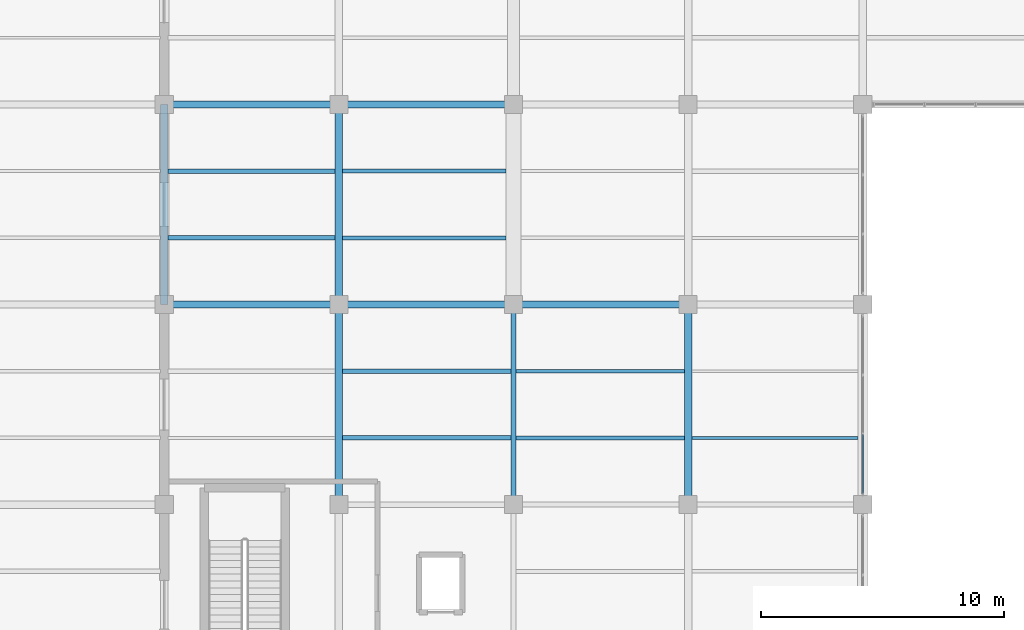
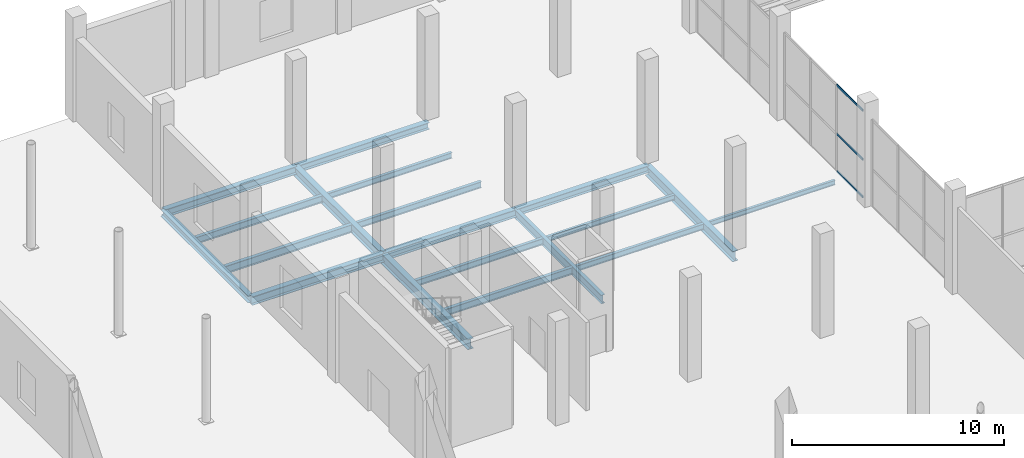
# One storey, part 72 of 144: 19 beams, 3 members, 1 element without a shape of its own.
"""IFC4 building model written with IfcOpenShell, lengths in metres."""

from ifc_helpers import new_model, si_unit, direction, frame, origin, origin_2d, place, context, subcontext, project, spatial, hollow_rectangle, i_section, extrude, material, layer, layer_set, material_profile, profile_set, type_object, element, aggregate, save


model = new_model("IFC4")

# Units and contexts
model_context = context("Model", 3, precision=1e-05, world=origin(), true_north=direction((0.0, 1.0)))
body_context = subcontext(model_context, "Body", "Model", "MODEL_VIEW")
ifc_project = project(units=[si_unit("LENGTHUNIT", "METRE"), si_unit("AREAUNIT", "SQUARE_METRE"), si_unit("VOLUMEUNIT", "CUBIC_METRE"), si_unit("PLANEANGLEUNIT", "RADIAN"), si_unit("MASSUNIT", "GRAM", prefix="KILO")], contexts=[model_context])

# Site, building, storey
site_placement = place(None, origin())
site = spatial("IfcSite", under=ifc_project, at=site_placement, CompositionType="ELEMENT")
building_placement = place(site_placement, origin())
building = spatial("IfcBuilding", under=site, at=building_placement, Name="Sundgate Opera House", CompositionType="ELEMENT")
storey_placement = place(building_placement, origin())
storey = spatial("IfcBuildingStorey", under=building, at=storey_placement, Name="L00", CompositionType="ELEMENT", Elevation=0.0)

# Beams
ifc_material_1 = material(Name="Steel S355J2", Category="steel")
ifc_material_profile_1 = material_profile(ifc_material_1, i_section(OverallWidth=0.300048828125, OverallDepth=0.389892578125, WebThickness=0.010986328125, FlangeThickness=0.01904296875, at=origin_2d()), Name="HEA 400")
ifc_profile_set_1 = profile_set([ifc_material_profile_1], Name="Steel S355J2")
beam_type_1 = type_object("IfcBeamType", Name="BM-GR-HEA400", PredefinedType="BEAM", material=ifc_profile_set_1)
beam_1_placement = place(storey_placement, frame((95.39990234375, 103.5, -0.514892578125), z_axis=(0.0, 1.0, 0.0), x_axis=(-1.0, 0.0, 0.0)))
element("IfcBeam", 1, at=beam_1_placement, inside=storey, type_object=beam_type_1, Name="L00 Primary N-S Girder B0202", PredefinedType="BEAM", context=body_context, shape_type="SweptSolid", body=[
    extrude(i_section(OverallWidth=0.300048828125, OverallDepth=0.389892578125, WebThickness=0.010986328125, FlangeThickness=0.01904296875, at=origin_2d()), origin(), (0.0, 0.0, 1.0), 8.25),
])
beam_2_placement = place(storey_placement, frame((109.800048828125, 103.5, -0.514892578125), z_axis=(1.0, 0.0, 0.0), x_axis=(0.0, 1.0, 0.0)))
element("IfcBeam", 2, at=beam_2_placement, inside=storey, type_object=beam_type_1, Name="L00 Primary E-W Girder B0553", PredefinedType="BEAM", context=body_context, shape_type="SweptSolid", body=[
    extrude(i_section(OverallWidth=0.300048828125, OverallDepth=0.389892578125, WebThickness=0.010986328125, FlangeThickness=0.01904296875, at=origin_2d()), origin(), (0.0, 0.0, 1.0), 7.199951171875),
])
ifc_material_2 = material(Name="Steel S355J2", Category="steel")
ifc_material_profile_2 = material_profile(ifc_material_2, i_section(OverallWidth=0.300048828125, OverallDepth=0.43994140625, WebThickness=0.011474609375, FlangeThickness=0.02099609375, at=origin_2d()), Name="HEA 450")
ifc_profile_set_2 = profile_set([ifc_material_profile_2], Name="Steel S355J2")
beam_type_2 = type_object("IfcBeamType", Name="BM-GR-HEA450", PredefinedType="BEAM", material=ifc_profile_set_2)
beam_3_placement = place(storey_placement, frame((102.60009765625, 103.5, -0.5400390625), z_axis=(1.0, 0.0, 0.0), x_axis=(0.0, 1.0, 0.0)))
element("IfcBeam", 3, at=beam_3_placement, inside=storey, type_object=beam_type_2, Name="L00 Primary E-W Girder B0552", PredefinedType="BEAM", context=body_context, shape_type="SweptSolid", body=[
    extrude(i_section(OverallWidth=0.300048828125, OverallDepth=0.43994140625, WebThickness=0.011474609375, FlangeThickness=0.02099609375, at=origin_2d()), origin(), (0.0, 0.0, 1.0), 7.199951171875),
])
ifc_material_3 = material(Name="Steel S355J2", Category="steel")
ifc_material_profile_3 = material_profile(ifc_material_3, i_section(OverallWidth=0.300048828125, OverallDepth=0.489990234375, WebThickness=0.011962890625, FlangeThickness=0.02294921875, at=origin_2d()), Name="HEA 500")
ifc_profile_set_3 = profile_set([ifc_material_profile_3], Name="Steel S355J2")
beam_type_3 = type_object("IfcBeamType", Name="BM-GR-HEA500", PredefinedType="BEAM", material=ifc_profile_set_3)
beam_4_placement = place(storey_placement, frame((95.39990234375, 103.5, -0.56494140625), z_axis=(1.0, 0.0, 0.0), x_axis=(0.0, 1.0, 0.0)))
element("IfcBeam", 4, at=beam_4_placement, inside=storey, type_object=beam_type_3, Name="L00 Primary E-W Girder B0551", PredefinedType="BEAM", context=body_context, shape_type="SweptSolid", body=[
    extrude(i_section(OverallWidth=0.300048828125, OverallDepth=0.489990234375, WebThickness=0.011962890625, FlangeThickness=0.02294921875, at=origin_2d()), origin(), (0.0, 0.0, 1.0), 7.2001953125),
])
ifc_material_4 = material(Name="Steel S355J2", Category="steel")
ifc_material_profile_4 = material_profile(ifc_material_4, i_section(OverallWidth=0.300048828125, OverallDepth=0.590087890625, WebThickness=0.012939453125, FlangeThickness=0.02490234375, at=origin_2d()), Name="HEA 600")
ifc_profile_set_4 = profile_set([ifc_material_profile_4], Name="Steel S355J2")
beam_type_4 = type_object("IfcBeamType", Name="BM-GR-HEA600", PredefinedType="BEAM", material=ifc_profile_set_4)
beam_5_placement = place(storey_placement, frame((117.0, 95.25, -0.614990234375), z_axis=(0.0, 1.0, 0.0), x_axis=(-1.0, 0.0, 0.0)))
element("IfcBeam", 5, at=beam_5_placement, inside=storey, type_object=beam_type_4, Name="L00 Primary N-S Girder B0243", PredefinedType="BEAM", context=body_context, shape_type="SweptSolid", body=[
    extrude(i_section(OverallWidth=0.300048828125, OverallDepth=0.590087890625, WebThickness=0.012939453125, FlangeThickness=0.02490234375, at=origin_2d()), origin(), (0.0, 0.0, 1.0), 8.25),
])
ifc_material_5 = material(Name="Steel S355J2", Category="steel")
ifc_material_profile_5 = material_profile(ifc_material_5, i_section(OverallWidth=0.300048828125, OverallDepth=0.39990234375, WebThickness=0.013427734375, FlangeThickness=0.02392578125, at=origin_2d()), Name="HEB 400")
ifc_profile_set_5 = profile_set([ifc_material_profile_5], Name="Steel S355J2")
beam_type_5 = type_object("IfcBeamType", Name="BM-GR-HEB400", PredefinedType="BEAM", material=ifc_profile_set_5)
beam_6_placement = place(storey_placement, frame((102.60009765625, 111.75, -0.52001953125), z_axis=(1.0, 0.0, 0.0), x_axis=(0.0, 1.0, 0.0)))
element("IfcBeam", 6, at=beam_6_placement, inside=storey, type_object=beam_type_5, Name="L00 Primary E-W Girder B0570", PredefinedType="BEAM", context=body_context, shape_type="SweptSolid", body=[
    extrude(i_section(OverallWidth=0.300048828125, OverallDepth=0.39990234375, WebThickness=0.013427734375, FlangeThickness=0.02392578125, at=origin_2d()), origin(), (0.0, 0.0, 1.0), 7.199951171875),
])
ifc_material_6 = material(Name="Steel S355J2", Category="steel")
ifc_material_profile_6 = material_profile(ifc_material_6, i_section(OverallWidth=0.300048828125, OverallDepth=0.449951171875, WebThickness=0.013916015625, FlangeThickness=0.02587890625, at=origin_2d()), Name="HEB 450")
ifc_profile_set_6 = profile_set([ifc_material_profile_6], Name="Steel S355J2")
beam_type_6 = type_object("IfcBeamType", Name="BM-GR-HEB450", PredefinedType="BEAM", material=ifc_profile_set_6)
beam_7_placement = place(storey_placement, frame((95.39990234375, 111.75, -0.544921875), z_axis=(1.0, 0.0, 0.0), x_axis=(0.0, 1.0, 0.0)))
element("IfcBeam", 7, at=beam_7_placement, inside=storey, type_object=beam_type_6, Name="L00 Primary E-W Girder B0569", PredefinedType="BEAM", context=body_context, shape_type="SweptSolid", body=[
    extrude(i_section(OverallWidth=0.300048828125, OverallDepth=0.449951171875, WebThickness=0.013916015625, FlangeThickness=0.02587890625, at=origin_2d()), origin(), (0.0, 0.0, 1.0), 7.2001953125),
])
ifc_material_7 = material(Name="Steel S355J2", Category="steel")
ifc_material_profile_7 = material_profile(ifc_material_7, i_section(OverallWidth=0.300048828125, OverallDepth=0.550048828125, WebThickness=0.014892578125, FlangeThickness=0.029052734375, at=origin_2d()), Name="HEB 550")
ifc_profile_set_7 = profile_set([ifc_material_profile_7], Name="Steel S355J2")
beam_type_7 = type_object("IfcBeamType", Name="BM-GR-HEB550", PredefinedType="BEAM", material=ifc_profile_set_7)
beam_8_placement = place(storey_placement, frame((102.60009765625, 103.5, -0.594970703125), z_axis=(0.0, 1.0, 0.0), x_axis=(-1.0, 0.0, 0.0)))
element("IfcBeam", 8, at=beam_8_placement, inside=storey, type_object=beam_type_7, Name="L00 Primary N-S Girder B0216", PredefinedType="BEAM", context=body_context, shape_type="SweptSolid", body=[
    extrude(i_section(OverallWidth=0.300048828125, OverallDepth=0.550048828125, WebThickness=0.014892578125, FlangeThickness=0.029052734375, at=origin_2d()), origin(), (0.0, 0.0, 1.0), 8.25),
])
ifc_material_8 = material(Name="Steel S355J2", Category="steel")
ifc_material_profile_8 = material_profile(ifc_material_8, i_section(OverallWidth=0.300048828125, OverallDepth=0.60009765625, WebThickness=0.015380859375, FlangeThickness=0.030029296875, at=origin_2d()), Name="HEB 600")
ifc_profile_set_8 = profile_set([ifc_material_profile_8], Name="Steel S355J2")
beam_type_8 = type_object("IfcBeamType", Name="BM-GR-HEB600", PredefinedType="BEAM", material=ifc_profile_set_8)
beam_9_placement = place(storey_placement, frame((102.60009765625, 95.25, -0.6201171875), z_axis=(0.0, 1.0, 0.0), x_axis=(-1.0, 0.0, 0.0)))
element("IfcBeam", 9, at=beam_9_placement, inside=storey, type_object=beam_type_8, Name="L00 Primary N-S Girder B0215", PredefinedType="BEAM", context=body_context, shape_type="SweptSolid", body=[
    extrude(i_section(OverallWidth=0.300048828125, OverallDepth=0.60009765625, WebThickness=0.015380859375, FlangeThickness=0.030029296875, at=origin_2d()), origin(), (0.0, 0.0, 1.0), 8.25),
])
ifc_material_9 = material(Name="Steel S355J2", Category="steel")
ifc_material_profile_9 = material_profile(ifc_material_9, i_section(OverallWidth=0.199951171875, OverallDepth=0.5, WebThickness=0.01025390625, FlangeThickness=0.01611328125, at=origin_2d()), Name="IPE 500")
ifc_profile_set_9 = profile_set([ifc_material_profile_9], Name="Steel S355J2")
beam_type_9 = type_object("IfcBeamType", Name="BM-GR-IPE500", PredefinedType="BEAM", material=ifc_profile_set_9)
beam_10_placement = place(storey_placement, frame((109.800048828125, 95.25, -0.570068359375), z_axis=(0.0, 1.0, 0.0), x_axis=(-1.0, 0.0, 0.0)))
element("IfcBeam", 10, at=beam_10_placement, inside=storey, type_object=beam_type_9, Name="L00 Primary N-S Girder B0229", PredefinedType="BEAM", context=body_context, shape_type="SweptSolid", body=[
    extrude(i_section(OverallWidth=0.199951171875, OverallDepth=0.5, WebThickness=0.01025390625, FlangeThickness=0.01611328125, at=origin_2d()), origin(), (0.0, 0.0, 1.0), 8.25),
])
ifc_material_10 = material(Name="Steel S355J2", Category="steel")
ifc_material_profile_10 = material_profile(ifc_material_10, i_section(OverallWidth=0.135009765625, OverallDepth=0.27001953125, WebThickness=0.006591796875, FlangeThickness=0.01025390625, at=origin_2d()), Name="IPE 270")
ifc_profile_set_10 = profile_set([ifc_material_profile_10], Name="Steel S355J2")
beam_type_10 = type_object("IfcBeamType", Name="BM-JS-IPE270", PredefinedType="JOIST", material=ifc_profile_set_10)
beam_11_placement = place(storey_placement, frame((117.14990234375, 98.0, -0.455078125), z_axis=(1.0, 0.0, 0.0), x_axis=(0.0, 1.0, 0.0)))
element("IfcBeam", 11, at=beam_11_placement, inside=storey, type_object=beam_type_10, Name="L00 Secondary Floor Joist B0978", PredefinedType="JOIST", context=body_context, shape_type="SweptSolid", body=[
    extrude(i_section(OverallWidth=0.135009765625, OverallDepth=0.27001953125, WebThickness=0.006591796875, FlangeThickness=0.01025390625, at=origin_2d()), origin(), (0.0, 0.0, 1.0), 6.85009765625),
])
ifc_material_11 = material(Name="Steel S355J2", Category="steel")
ifc_material_profile_11 = material_profile(ifc_material_11, i_section(OverallWidth=0.14990234375, OverallDepth=0.300048828125, WebThickness=0.007080078125, FlangeThickness=0.0107421875, at=origin_2d()), Name="IPE 300")
ifc_profile_set_11 = profile_set([ifc_material_profile_11], Name="Steel S355J2")
beam_type_11 = type_object("IfcBeamType", Name="BM-JS-IPE300", PredefinedType="JOIST", material=ifc_profile_set_11)
beam_12_placement = place(storey_placement, frame((109.89990234375, 100.75, -0.469970703125), z_axis=(1.0, 0.0, 0.0), x_axis=(0.0, 1.0, 0.0)))
element("IfcBeam", 12, at=beam_12_placement, inside=storey, type_object=beam_type_11, Name="L00 Secondary Floor Joist B0977", PredefinedType="JOIST", context=body_context, shape_type="SweptSolid", body=[
    extrude(i_section(OverallWidth=0.14990234375, OverallDepth=0.300048828125, WebThickness=0.007080078125, FlangeThickness=0.0107421875, at=origin_2d()), origin(), (0.0, 0.0, 1.0), 6.9501953125),
])
ifc_material_12 = material(Name="Steel S355J2", Category="steel")
ifc_material_profile_12 = material_profile(ifc_material_12, i_section(OverallWidth=0.159912109375, OverallDepth=0.330078125, WebThickness=0.007568359375, FlangeThickness=0.011474609375, at=origin_2d()), Name="IPE 330")
ifc_profile_set_12 = profile_set([ifc_material_profile_12], Name="Steel S355J2")
beam_type_12 = type_object("IfcBeamType", Name="BM-JS-IPE330", PredefinedType="JOIST", material=ifc_profile_set_12)
beam_13_placement = place(storey_placement, frame((109.89990234375, 98.0, -0.485107421875), z_axis=(1.0, 0.0, 0.0), x_axis=(0.0, 1.0, 0.0)))
element("IfcBeam", 13, at=beam_13_placement, inside=storey, type_object=beam_type_12, Name="L00 Secondary Floor Joist B0976", PredefinedType="JOIST", context=body_context, shape_type="SweptSolid", body=[
    extrude(i_section(OverallWidth=0.159912109375, OverallDepth=0.330078125, WebThickness=0.007568359375, FlangeThickness=0.011474609375, at=origin_2d()), origin(), (0.0, 0.0, 1.0), 6.9501953125),
])
beam_14_placement = place(storey_placement, frame((102.75, 109.0, -0.485107421875), z_axis=(1.0, 0.0, 0.0), x_axis=(0.0, 1.0, 0.0)))
element("IfcBeam", 14, at=beam_14_placement, inside=storey, type_object=beam_type_12, Name="L00 Secondary Floor Joist B1011", PredefinedType="JOIST", context=body_context, shape_type="SweptSolid", body=[
    extrude(i_section(OverallWidth=0.159912109375, OverallDepth=0.330078125, WebThickness=0.007568359375, FlangeThickness=0.011474609375, at=origin_2d()), origin(), (0.0, 0.0, 1.0), 6.75),
])
ifc_material_13 = material(Name="Steel S355J2", Category="steel")
ifc_material_profile_13 = material_profile(ifc_material_13, i_section(OverallWidth=0.169921875, OverallDepth=0.360107421875, WebThickness=0.008056640625, FlangeThickness=0.0126953125, at=origin_2d()), Name="IPE 360")
ifc_profile_set_13 = profile_set([ifc_material_profile_13], Name="Steel S355J2")
beam_type_13 = type_object("IfcBeamType", Name="BM-JS-IPE360", PredefinedType="JOIST", material=ifc_profile_set_13)
beam_15_placement = place(storey_placement, frame((102.75, 100.75, -0.5), z_axis=(1.0, 0.0, 0.0), x_axis=(0.0, 1.0, 0.0)))
element("IfcBeam", 15, at=beam_15_placement, inside=storey, type_object=beam_type_13, Name="L00 Secondary Floor Joist B0975", PredefinedType="JOIST", context=body_context, shape_type="SweptSolid", body=[
    extrude(i_section(OverallWidth=0.169921875, OverallDepth=0.360107421875, WebThickness=0.008056640625, FlangeThickness=0.0126953125, at=origin_2d()), origin(), (0.0, 0.0, 1.0), 6.949951171875),
])
beam_16_placement = place(storey_placement, frame((102.75, 106.25, -0.5), z_axis=(1.0, 0.0, 0.0), x_axis=(0.0, 1.0, 0.0)))
element("IfcBeam", 16, at=beam_16_placement, inside=storey, type_object=beam_type_13, Name="L00 Secondary Floor Joist B1010", PredefinedType="JOIST", context=body_context, shape_type="SweptSolid", body=[
    extrude(i_section(OverallWidth=0.169921875, OverallDepth=0.360107421875, WebThickness=0.008056640625, FlangeThickness=0.0126953125, at=origin_2d()), origin(), (0.0, 0.0, 1.0), 6.75),
])
ifc_material_14 = material(Name="Steel S355J2", Category="steel")
ifc_material_profile_14 = material_profile(ifc_material_14, i_section(OverallWidth=0.179931640625, OverallDepth=0.39990234375, WebThickness=0.008544921875, FlangeThickness=0.013427734375, at=origin_2d()), Name="IPE 400")
ifc_profile_set_14 = profile_set([ifc_material_profile_14], Name="Steel S355J2")
beam_type_14 = type_object("IfcBeamType", Name="BM-JS-IPE400", PredefinedType="JOIST", material=ifc_profile_set_14)
beam_17_placement = place(storey_placement, frame((102.75, 98.0, -0.52001953125), z_axis=(1.0, 0.0, 0.0), x_axis=(0.0, 1.0, 0.0)))
element("IfcBeam", 17, at=beam_17_placement, inside=storey, type_object=beam_type_14, Name="L00 Secondary Floor Joist B0974", PredefinedType="JOIST", context=body_context, shape_type="SweptSolid", body=[
    extrude(i_section(OverallWidth=0.179931640625, OverallDepth=0.39990234375, WebThickness=0.008544921875, FlangeThickness=0.013427734375, at=origin_2d()), origin(), (0.0, 0.0, 1.0), 6.949951171875),
])
beam_18_placement = place(storey_placement, frame((95.550048828125, 109.0, -0.52001953125), z_axis=(1.0, 0.0, 0.0), x_axis=(0.0, 1.0, 0.0)))
element("IfcBeam", 18, at=beam_18_placement, inside=storey, type_object=beam_type_14, Name="L00 Secondary Floor Joist B1009", PredefinedType="JOIST", context=body_context, shape_type="SweptSolid", body=[
    extrude(i_section(OverallWidth=0.179931640625, OverallDepth=0.39990234375, WebThickness=0.008544921875, FlangeThickness=0.013427734375, at=origin_2d()), origin(), (0.0, 0.0, 1.0), 6.89990234375),
])
ifc_material_15 = material(Name="Steel S355J2", Category="steel")
ifc_material_profile_15 = material_profile(ifc_material_15, i_section(OverallWidth=0.18994140625, OverallDepth=0.449951171875, WebThickness=0.009521484375, FlangeThickness=0.0146484375, at=origin_2d()), Name="IPE 450")
ifc_profile_set_15 = profile_set([ifc_material_profile_15], Name="Steel S355J2")
beam_type_15 = type_object("IfcBeamType", Name="BM-JS-IPE450", PredefinedType="JOIST", material=ifc_profile_set_15)
beam_19_placement = place(storey_placement, frame((95.550048828125, 106.25, -0.544921875), z_axis=(1.0, 0.0, 0.0), x_axis=(0.0, 1.0, 0.0)))
element("IfcBeam", 19, at=beam_19_placement, inside=storey, type_object=beam_type_15, Name="L00 Secondary Floor Joist B1008", PredefinedType="JOIST", context=body_context, shape_type="SweptSolid", body=[
    extrude(i_section(OverallWidth=0.18994140625, OverallDepth=0.449951171875, WebThickness=0.009521484375, FlangeThickness=0.0146484375, at=origin_2d()), origin(), (0.0, 0.0, 1.0), 6.89990234375),
])

# Curtain wall, members
ifc_material_16 = material(Name="Anodized aluminium and low-iron glass", Category="aluminium")
ifc_layer = layer(ifc_material_16, 0.159912109375)
ifc_layer_set = layer_set([ifc_layer], Name="Anodized aluminium and low-iron glass")
curtain_wall_type = type_object("IfcCurtainWallType", Name="CW-STUDIO-DARK", PredefinedType="NOTDEFINED", material=ifc_layer_set)
curtain_wall_placement = place(storey_placement, origin())
curtain_wall = element("IfcCurtainWall", 20, at=curtain_wall_placement, inside=storey, type_object=curtain_wall_type, Name="L00 Curtain Wall CW090", PredefinedType="NOTDEFINED")
ifc_material_17 = material(Name="Anodized aluminium EN AW-6063", Category="aluminium")
ifc_material_profile_16 = material_profile(ifc_material_17, hollow_rectangle(XDim=0.054931640625, YDim=0.1201171875, WallThickness=0.00390625, at=origin_2d()), Name="CWT 120x55x4")
ifc_profile_set_16 = profile_set([ifc_material_profile_16], Name="Anodized aluminium EN AW-6063")
member_type = type_object("IfcMemberType", Name="CWT-ALU-120x55", PredefinedType="USERDEFINED", material=ifc_profile_set_16)
member_1_placement = place(storey_placement, frame((124.199951171875, 95.699951171875, 0.0), z_axis=(0.0, 1.0, 0.0), x_axis=(-1.0, 0.0, 0.0)))
member_1 = element("IfcMember", 21, at=member_1_placement, type_object=member_type, Name="CW090 Transom 1", ObjectType="TRANSOM", PredefinedType="USERDEFINED", context=body_context, shape_type="SweptSolid", body=[
    extrude(hollow_rectangle(XDim=0.054931640625, YDim=0.1201171875, WallThickness=0.00390625, at=origin_2d()), origin(), (0.0, 0.0, 1.0), 2.449951171875),
])
member_2_placement = place(storey_placement, frame((124.199951171875, 95.699951171875, 2.14990234375), z_axis=(0.0, 1.0, 0.0), x_axis=(-1.0, 0.0, 0.0)))
member_2 = element("IfcMember", 22, at=member_2_placement, type_object=member_type, Name="CW090 Transom 2", ObjectType="TRANSOM", PredefinedType="USERDEFINED", context=body_context, shape_type="SweptSolid", body=[
    extrude(hollow_rectangle(XDim=0.054931640625, YDim=0.1201171875, WallThickness=0.00390625, at=origin_2d()), origin(), (0.0, 0.0, 1.0), 2.449951171875),
])
member_3_placement = place(storey_placement, frame((124.199951171875, 95.699951171875, 4.965087890625), z_axis=(0.0, 1.0, 0.0), x_axis=(-1.0, 0.0, 0.0)))
member_3 = element("IfcMember", 23, at=member_3_placement, type_object=member_type, Name="CW090 Transom 3", ObjectType="TRANSOM", PredefinedType="USERDEFINED", context=body_context, shape_type="SweptSolid", body=[
    extrude(hollow_rectangle(XDim=0.054931640625, YDim=0.1201171875, WallThickness=0.00390625, at=origin_2d()), origin(), (0.0, 0.0, 1.0), 2.449951171875),
])
aggregate(curtain_wall, [member_1, member_2, member_3])

save(model, "model.ifc")
